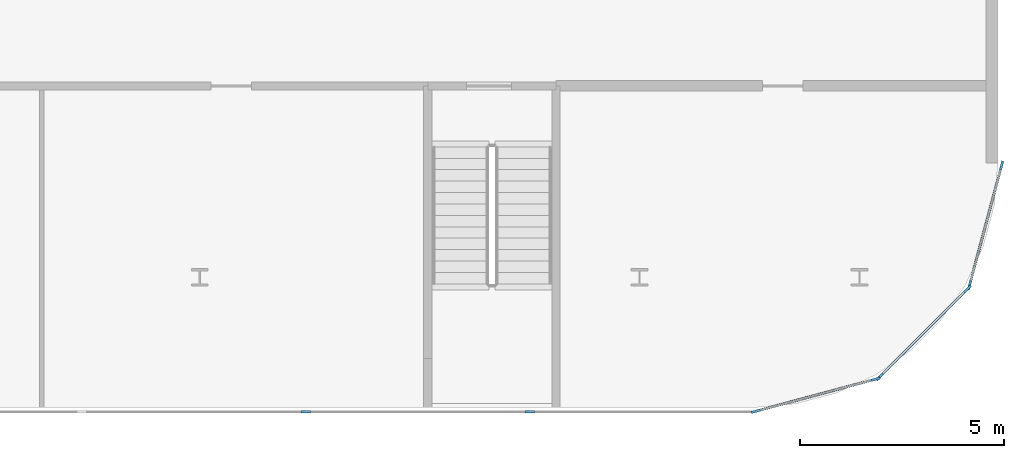
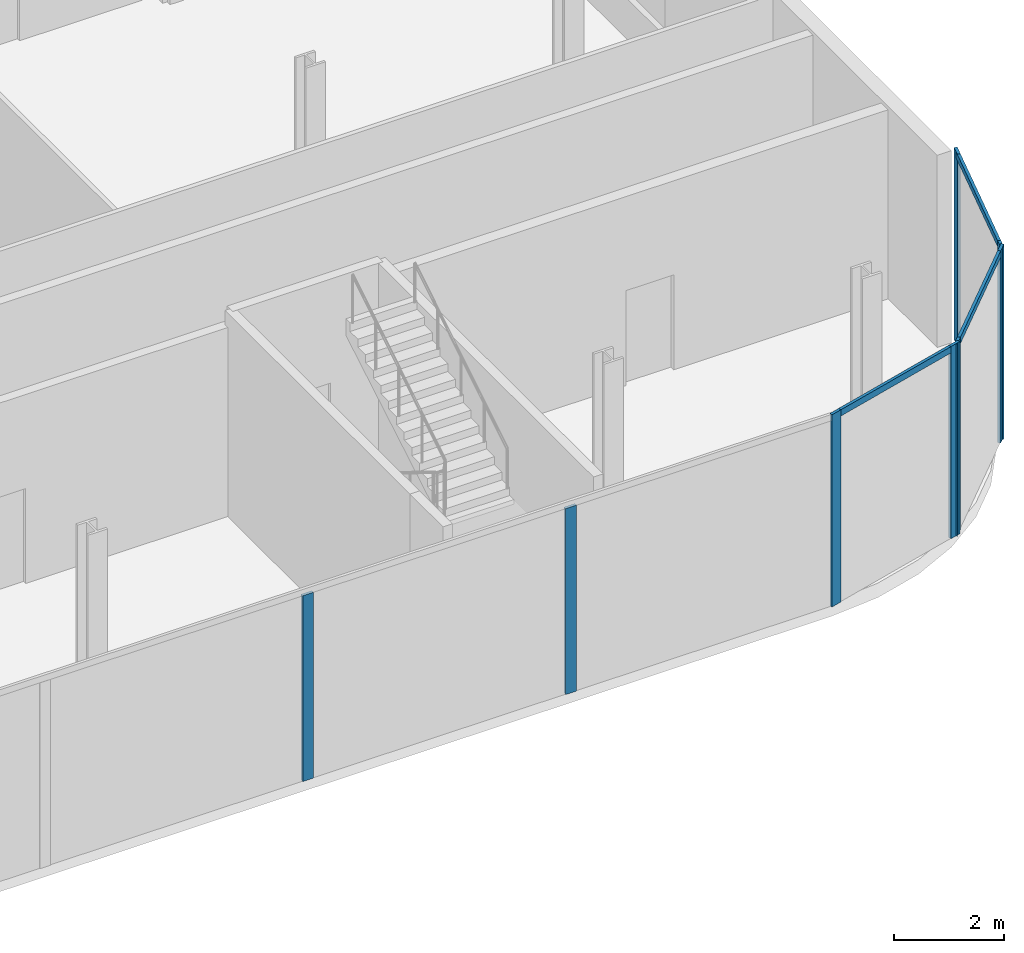
# One storey, part 13 of 47: 11 members, 4 elements without a shape of their own.
"""IFC4 building model written with IfcOpenShell, lengths in metres."""

from ifc_helpers import new_model, si_unit, direction, frame, origin, origin_2d, place, context, subcontext, project, spatial, rectangle, extrude, material, layer, layer_set, material_profile, profile_set, type_object, element, aggregate, save


model = new_model("IFC4")

# Units and contexts
model_context = context("Model", 3, precision=1e-05, world=origin(), true_north=direction((0.0, 1.0)))
body_context = subcontext(model_context, "Body", "Model", "MODEL_VIEW")
ifc_project = project(units=[si_unit("LENGTHUNIT", "METRE"), si_unit("AREAUNIT", "SQUARE_METRE"), si_unit("VOLUMEUNIT", "CUBIC_METRE"), si_unit("PLANEANGLEUNIT", "RADIAN"), si_unit("MASSUNIT", "GRAM", prefix="KILO")], contexts=[model_context])

# Site, building, storey
site_placement = place(None, origin())
site = spatial("IfcSite", under=ifc_project, at=site_placement, CompositionType="ELEMENT")
building_placement = place(site_placement, origin())
building = spatial("IfcBuilding", under=site, at=building_placement, Name="Kheshtan School and Residences Tower", CompositionType="ELEMENT")
storey_placement = place(building_placement, frame((0.0, 0.0, 12.5)))
storey = spatial("IfcBuildingStorey", under=building, at=storey_placement, Name="L02", CompositionType="ELEMENT", Elevation=12.5)

# Curtain wall, members
ifc_material_1 = material(Name="Clear low-e glass in thermally broken aluminium frame", Category="aluminium")
ifc_layer = layer(ifc_material_1, 0.22509765625)
ifc_layer_set = layer_set([ifc_layer], Name="Curtain wall CW-P")
curtain_wall_type = type_object("IfcCurtainWallType", Name="Curtain wall CW-P", PredefinedType="NOTDEFINED", material=ifc_layer_set)
curtain_wall_1_placement = place(storey_placement, origin())
curtain_wall_1 = element("IfcCurtainWall", 1, at=curtain_wall_1_placement, inside=storey, type_object=curtain_wall_type, Name="Curtain wall CWP9a", PredefinedType="NOTDEFINED")
ifc_material_2 = material(Name="Thermally broken aluminium, dark bronze anodised", Category="aluminium")
ifc_material_profile_1 = material_profile(ifc_material_2, rectangle(XDim=0.06005859375, YDim=0.22509765625, at=origin_2d()), Name="CW-P mullion 60x225")
ifc_profile_set_1 = profile_set([ifc_material_profile_1], Name="Thermally broken aluminium, dark bronze anodised")
member_type_1 = type_object("IfcMemberType", Name="CW-P mullion 60x225", PredefinedType="MULLION", material=ifc_profile_set_1)
member_1_placement = place(storey_placement, frame((132.0888671875, 15.945068359375, 0.0), z_axis=(0.0, 0.0, 1.0), x_axis=(0.965913556273, -0.258864833085, 0.0)))
member_1 = element("IfcMember", 2, at=member_1_placement, type_object=member_type_1, Name="CWP9a mullion 1", PredefinedType="MULLION", context=body_context, shape_type="SweptSolid", body=[
    extrude(rectangle(XDim=0.06005859375, YDim=0.22509765625, at=origin_2d()), origin(), (0.0, 0.0, 1.0), 4.25),
])
member_2_placement = place(storey_placement, frame((131.30029296875, 13.003173828125, 0.0), z_axis=(0.0, 0.0, 1.0), x_axis=(0.965913556273, -0.258864833085, 0.0)))
member_2 = element("IfcMember", 3, at=member_2_placement, type_object=member_type_1, Name="CWP9a mullion 2", PredefinedType="MULLION", context=body_context, shape_type="SweptSolid", body=[
    extrude(rectangle(XDim=0.06005859375, YDim=0.22509765625, at=origin_2d()), origin(), (0.0, 0.0, 1.0), 4.25),
])

curtain_wall_2_placement = place(storey_placement, origin())
curtain_wall_2 = element("IfcCurtainWall", 4, at=curtain_wall_2_placement, inside=storey, type_object=curtain_wall_type, Name="Curtain wall CWP10a", PredefinedType="NOTDEFINED")
member_3_placement = place(storey_placement, frame((131.24560546875, 12.907958984375, 0.0), z_axis=(0.0, 0.0, 1.0), x_axis=(0.707106781187, -0.707106781187, 0.0)))
member_3 = element("IfcMember", 5, at=member_3_placement, type_object=member_type_1, Name="CWP10a mullion 1", PredefinedType="MULLION", context=body_context, shape_type="SweptSolid", body=[
    extrude(rectangle(XDim=0.06005859375, YDim=0.22509765625, at=origin_2d()), origin(), (0.0, 0.0, 1.0), 4.25),
])
member_4_placement = place(storey_placement, frame((129.092041015625, 10.75439453125, 0.0), z_axis=(0.0, 0.0, 1.0), x_axis=(0.707106781187, -0.707106781187, 0.0)))
member_4 = element("IfcMember", 6, at=member_4_placement, type_object=member_type_1, Name="CWP10a mullion 2", PredefinedType="MULLION", context=body_context, shape_type="SweptSolid", body=[
    extrude(rectangle(XDim=0.06005859375, YDim=0.22509765625, at=origin_2d()), origin(), (0.0, 0.0, 1.0), 4.25),
])

curtain_wall_3_placement = place(storey_placement, origin())
curtain_wall_3 = element("IfcCurtainWall", 7, at=curtain_wall_3_placement, inside=storey, type_object=curtain_wall_type, Name="Curtain wall CWP11a", PredefinedType="NOTDEFINED")
member_5_placement = place(storey_placement, frame((128.996826171875, 10.69970703125, 0.0), z_axis=(0.0, 0.0, 1.0), x_axis=(0.258864833085, -0.965913556273, 0.0)))
member_5 = element("IfcMember", 8, at=member_5_placement, type_object=member_type_1, Name="CWP11a mullion 1", PredefinedType="MULLION", context=body_context, shape_type="SweptSolid", body=[
    extrude(rectangle(XDim=0.06005859375, YDim=0.22509765625, at=origin_2d()), origin(), (0.0, 0.0, 1.0), 4.25),
])
member_6_placement = place(storey_placement, frame((126.054931640625, 9.9111328125, 0.0), z_axis=(0.0, 0.0, 1.0), x_axis=(0.258864833085, -0.965913556273, 0.0)))
member_6 = element("IfcMember", 9, at=member_6_placement, type_object=member_type_1, Name="CWP11a mullion 2", PredefinedType="MULLION", context=body_context, shape_type="SweptSolid", body=[
    extrude(rectangle(XDim=0.06005859375, YDim=0.22509765625, at=origin_2d()), origin(), (0.0, 0.0, 1.0), 4.25),
])

curtain_wall_4_placement = place(storey_placement, origin())
curtain_wall_4 = element("IfcCurtainWall", 10, at=curtain_wall_4_placement, inside=storey, type_object=curtain_wall_type, Name="Curtain wall CWP12a", PredefinedType="NOTDEFINED")
member_7_placement = place(storey_placement, frame((120.501708984375, 9.89990234375, 0.0), z_axis=(0.0, 0.0, 1.0), x_axis=(0.0, -1.0, 0.0)))
member_7 = element("IfcMember", 11, at=member_7_placement, type_object=member_type_1, Name="CWP12a mullion 2", PredefinedType="MULLION", context=body_context, shape_type="SweptSolid", body=[
    extrude(rectangle(XDim=0.06005859375, YDim=0.22509765625, at=origin_2d()), origin(), (0.0, 0.0, 1.0), 4.110107421875),
])
member_8_placement = place(storey_placement, frame((115.003662109375, 9.89990234375, 0.0), z_axis=(0.0, 0.0, 1.0), x_axis=(0.0, -1.0, 0.0)))
member_8 = element("IfcMember", 12, at=member_8_placement, type_object=member_type_1, Name="CWP12a mullion 3", PredefinedType="MULLION", context=body_context, shape_type="SweptSolid", body=[
    extrude(rectangle(XDim=0.06005859375, YDim=0.22509765625, at=origin_2d()), origin(), (0.0, 0.0, 1.0), 4.110107421875),
])
aggregate(curtain_wall_4, [member_7, member_8])

# Member
ifc_material_profile_2 = material_profile(ifc_material_2, rectangle(XDim=0.06005859375, YDim=0.139892578125, at=origin_2d()), Name="CW-P transom 60x140")
ifc_profile_set_2 = profile_set([ifc_material_profile_2], Name="Thermally broken aluminium, dark bronze anodised")
member_type_2 = type_object("IfcMemberType", Name="CW-P transom 60x140", PredefinedType="USERDEFINED", material=ifc_profile_set_2)
member_9_placement = place(storey_placement, frame((132.0810546875, 15.916259765625, 4.179931640625), z_axis=(-0.258853238275, -0.965916663607, 0.0), x_axis=(0.965916663607, -0.258853238275, 0.0)))
member_9 = element("IfcMember", 13, at=member_9_placement, type_object=member_type_2, Name="CWP9a transom 1", ObjectType="TRANSOM", PredefinedType="USERDEFINED", context=body_context, shape_type="SweptSolid", body=[
    extrude(rectangle(XDim=0.06005859375, YDim=0.139892578125, at=origin_2d()), origin(), (0.0, 0.0, 1.0), 2.986083984375),
])

aggregate(curtain_wall_1, [member_1, member_2, member_9])

member_10_placement = place(storey_placement, frame((131.224365234375, 12.886962890625, 4.179931640625), z_axis=(-0.707106781187, -0.707106781187, 0.0), x_axis=(0.707106781187, -0.707106781187, 0.0)))
member_10 = element("IfcMember", 14, at=member_10_placement, type_object=member_type_2, Name="CWP10a transom 1", ObjectType="TRANSOM", PredefinedType="USERDEFINED", context=body_context, shape_type="SweptSolid", body=[
    extrude(rectangle(XDim=0.06005859375, YDim=0.139892578125, at=origin_2d()), origin(), (0.0, 0.0, 1.0), 2.98583984375),
])

aggregate(curtain_wall_2, [member_3, member_4, member_10])

member_11_placement = place(storey_placement, frame((128.968017578125, 10.69189453125, 4.179931640625), z_axis=(-0.965916663607, -0.258853238275, 0.0), x_axis=(0.258853238275, -0.965916663607, 0.0)))
member_11 = element("IfcMember", 15, at=member_11_placement, type_object=member_type_2, Name="CWP11a transom 1", ObjectType="TRANSOM", PredefinedType="USERDEFINED", context=body_context, shape_type="SweptSolid", body=[
    extrude(rectangle(XDim=0.06005859375, YDim=0.139892578125, at=origin_2d()), origin(), (0.0, 0.0, 1.0), 2.986083984375),
])

aggregate(curtain_wall_3, [member_5, member_6, member_11])

save(model, "model.ifc")
